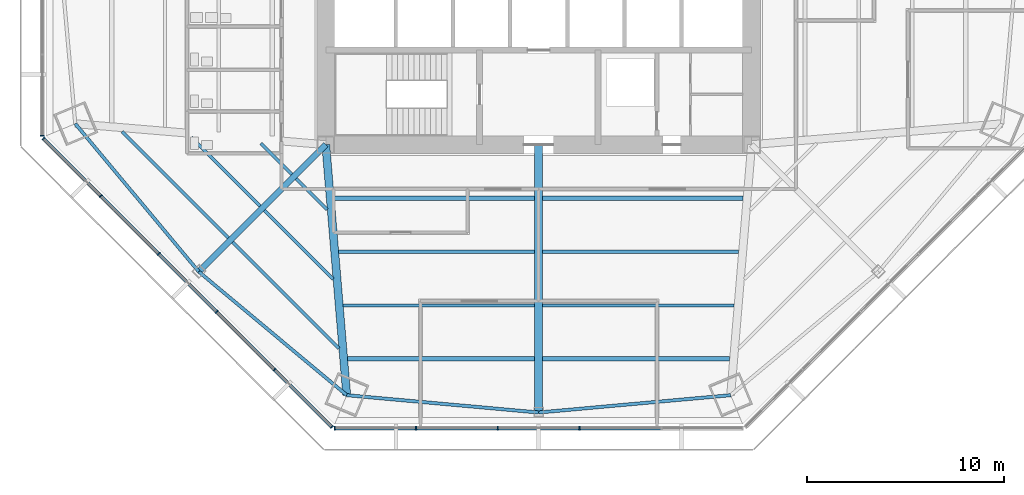
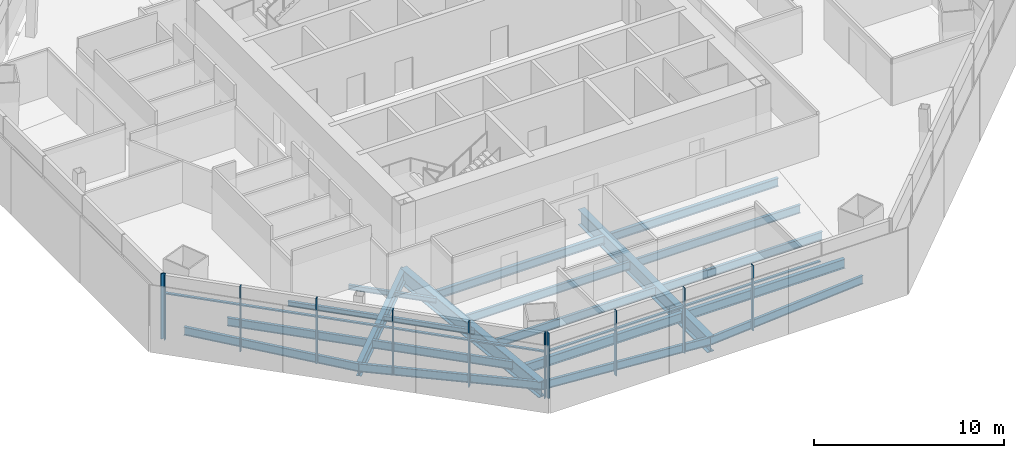
# One storey, part 2 of 16: 21 beams, 20 members, 3 elements without a shape of their own.
"""IFC4 building model written with IfcOpenShell, lengths in metres."""

from ifc_helpers import new_model, si_unit, direction, frame, origin, origin_2d, place, context, subcontext, project, spatial, rectangle, i_section, extrude, source, transform, mapped, material, material_profile, profile_set, type_object, type_shapes, element, aggregate, save


model = new_model("IFC4")

# Units and contexts
model_context = context("Model", 3, precision=1e-05, world=origin(), true_north=direction((0.0, 1.0)))
body_context = subcontext(model_context, "Body", "Model", "MODEL_VIEW")
ifc_project = project(units=[si_unit("LENGTHUNIT", "METRE"), si_unit("AREAUNIT", "SQUARE_METRE"), si_unit("VOLUMEUNIT", "CUBIC_METRE"), si_unit("PLANEANGLEUNIT", "RADIAN"), si_unit("MASSUNIT", "GRAM", prefix="KILO")], contexts=[model_context])

# Site, building, storey
site_placement = place(None, origin())
site = spatial("IfcSite", under=ifc_project, at=site_placement, CompositionType="ELEMENT")
building_placement = place(site_placement, origin())
building = spatial("IfcBuilding", under=site, at=building_placement, Name="Mashrafa Tower", CompositionType="ELEMENT")
storey_placement = place(building_placement, frame((0.0, 0.0, 100.199951171875)))
storey = spatial("IfcBuildingStorey", under=building, at=storey_placement, Name="L22", CompositionType="ELEMENT", Elevation=100.199951171875)

# Beams
ifc_material_1 = material(Name="Steel ASTM A992", Category="steel")
ifc_material_profile_1 = material_profile(ifc_material_1, i_section(OverallWidth=0.164794921875, OverallDepth=0.309814453125, WebThickness=0.005859375, FlangeThickness=0.009765625, FilletRadius=0.007568359375, at=origin_2d()), Name="W12X26")
ifc_profile_set_1 = profile_set([ifc_material_profile_1], Name="Steel ASTM A992")
beam_type_1 = type_object("IfcBeamType", Name="Beam W12X26", PredefinedType="BEAM", material=ifc_profile_set_1)
beam_1_placement = place(storey_placement, frame((-14.124755859375, -13.918212890625, -0.31982421875), z_axis=(-0.707082024713, 0.707131536794, 0.0), x_axis=(-0.707131536794, -0.707082024713, 0.0)))
element("IfcBeam", 1, at=beam_1_placement, inside=storey, type_object=beam_type_1, Name="Floor beam L22 012", PredefinedType="BEAM", context=body_context, shape_type="SweptSolid", body=[
    extrude(i_section(OverallWidth=0.164794921875, OverallDepth=0.309814453125, WebThickness=0.005859375, FlangeThickness=0.009765625, FilletRadius=0.007568359375, at=origin_2d()), origin(), (0.0, 0.0, 1.0), 4.930908203125),
])
for number, where, z_axis, x_axis, name in (
    (2, (-12.513916015625, -12.307373046875, -0.31982421875), (-0.707106781187, 0.707106781187, 0.0), (-0.707106781187, -0.707106781187, 0.0), "Floor beam L22 016"),
    (3, (-10.7255859375, -14.095703125, -0.31982421875), (-0.707106781187, 0.707106781187, 0.0), (-0.707106781187, -0.707106781187, 0.0), "Floor beam L22 019"),
):
    element("IfcBeam", number, at=place(storey_placement, frame(where, z_axis=z_axis, x_axis=x_axis)), inside=storey, type_object=beam_type_1, Name=name, PredefinedType="BEAM", context=body_context, shape_type="SweptSolid", body=[
        extrude(i_section(OverallWidth=0.164794921875, OverallDepth=0.309814453125, WebThickness=0.005859375, FlangeThickness=0.009765625, FilletRadius=0.007568359375, at=origin_2d()), origin(), (0.0, 0.0, 1.0), 2.237060546875),
    ])
beam_2_placement = place(storey_placement, frame((-10.431396484375, -17.611328125, -0.31982421875), z_axis=(-0.707131536794, 0.707082024713, 0.0), x_axis=(-0.707082024713, -0.707131536794, 0.0)))
element("IfcBeam", 4, at=beam_2_placement, inside=storey, type_object=beam_type_1, Name="Floor beam L22 021", PredefinedType="BEAM", context=body_context, shape_type="SweptSolid", body=[
    extrude(i_section(OverallWidth=0.164794921875, OverallDepth=0.309814453125, WebThickness=0.005859375, FlangeThickness=0.009765625, FilletRadius=0.007568359375, at=origin_2d()), origin(), (0.0, 0.0, 1.0), 4.930908203125),
])
ifc_material_2 = material(Name="Steel ASTM A992", Category="steel")
ifc_material_profile_2 = material_profile(ifc_material_2, i_section(OverallWidth=0.1650390625, OverallDepth=0.52587890625, WebThickness=0.0087890625, FlangeThickness=0.011474609375, FilletRadius=0.0126953125, at=origin_2d()), Name="W21X44")
ifc_profile_set_2 = profile_set([ifc_material_profile_2], Name="Steel ASTM A992")
beam_type_2 = type_object("IfcBeamType", Name="Beam W21X44", PredefinedType="BEAM", material=ifc_profile_set_2)
for number, where, z_axis, x_axis, name in (
    (5, (-15.7353515625, -15.52880859375, -0.427734375), (-0.707090771161, 0.707122790849, 0.0), (-0.707122790849, -0.707090771161, 0.0), "Floor beam L22 009"),
    (6, (-10.13720703125, -21.126708984375, -0.427734375), (-0.707122790849, 0.707090771161, 0.0), (-0.707090771161, -0.707122790849, 0.0), "Floor beam L22 023"),
):
    element("IfcBeam", number, at=place(storey_placement, frame(where, z_axis=z_axis, x_axis=x_axis)), inside=storey, type_object=beam_type_2, Name=name, PredefinedType="BEAM", context=body_context, shape_type="SweptSolid", body=[
        extrude(i_section(OverallWidth=0.1650390625, OverallDepth=0.52587890625, WebThickness=0.0087890625, FlangeThickness=0.011474609375, FilletRadius=0.0126953125, at=origin_2d()), origin(), (0.0, 0.0, 1.0), 7.624755859375),
    ])
for number, where, z_axis, x_axis, name in (
    (7, (-0.20068359375, -18.950927734375, -0.427734375), (-1.0, 0.0, 0.0), (0.0, -1.0, 0.0), "Floor beam L22 026"),
    (8, (9.91650390625, -18.950927734375, -0.427734375), (-1.0, 0.0, 0.0), (0.0, -1.0, 0.0), "Floor beam L22 035"),
):
    element("IfcBeam", number, at=place(storey_placement, frame(where, z_axis=z_axis, x_axis=x_axis)), inside=storey, type_object=beam_type_2, Name=name, PredefinedType="BEAM", context=body_context, shape_type="SweptSolid", body=[
        extrude(i_section(OverallWidth=0.1650390625, OverallDepth=0.52587890625, WebThickness=0.0087890625, FlangeThickness=0.011474609375, FilletRadius=0.0126953125, at=origin_2d()), origin(), (0.0, 0.0, 1.0), 9.7158203125),
    ])
ifc_material_3 = material(Name="Steel ASTM A992", Category="steel")
ifc_material_profile_3 = material_profile(ifc_material_3, i_section(OverallWidth=0.165771484375, OverallDepth=0.5283203125, WebThickness=0.009765625, FlangeThickness=0.013671875, FilletRadius=0.012939453125, at=origin_2d()), Name="W21X50")
ifc_profile_set_3 = profile_set([ifc_material_profile_3], Name="Steel ASTM A992")
beam_type_3 = type_object("IfcBeamType", Name="Beam W21X50", PredefinedType="BEAM", material=ifc_profile_set_3)
for number, where, z_axis, x_axis, name in (
    (9, (-0.20068359375, -16.23388671875, -0.42919921875), (-1.0, 0.0, 0.0), (0.0, -1.0, 0.0), "Floor beam L22 027"),
    (10, (10.143798828125, -16.23388671875, -0.42919921875), (-1.0, 0.0, 0.0), (0.0, -1.0, 0.0), "Floor beam L22 037"),
):
    element("IfcBeam", number, at=place(storey_placement, frame(where, z_axis=z_axis, x_axis=x_axis)), inside=storey, type_object=beam_type_3, Name=name, PredefinedType="BEAM", context=body_context, shape_type="SweptSolid", body=[
        extrude(i_section(OverallWidth=0.165771484375, OverallDepth=0.5283203125, WebThickness=0.009765625, FlangeThickness=0.013671875, FilletRadius=0.012939453125, at=origin_2d()), origin(), (0.0, 0.0, 1.0), 9.943115234375),
    ])
for number, where, z_axis, x_axis, name in (
    (11, (-23.506591796875, -9.73681640625, -0.42919921875), (0.640729548138, -0.76776666126, 0.0), (0.76776666126, 0.640729548138, 0.0), "Spandrel beam L22 074"),
    (12, (-17.24267578125, -17.24267578125, -0.42919921875), (0.76776666126, -0.640729548138, 0.0), (0.640729548138, 0.76776666126, 0.0), "Spandrel beam L22 076"),
):
    element("IfcBeam", number, at=place(storey_placement, frame(where, z_axis=z_axis, x_axis=x_axis)), inside=storey, type_object=beam_type_3, Name=name, PredefinedType="BEAM", context=body_context, shape_type="SweptSolid", body=[
        extrude(i_section(OverallWidth=0.165771484375, OverallDepth=0.5283203125, WebThickness=0.009765625, FlangeThickness=0.013671875, FilletRadius=0.012939453125, at=origin_2d()), origin(), (0.0, 0.0, 1.0), 9.776123046875),
    ])
for number, where, z_axis, x_axis, name in (
    (13, (-9.73681640625, -23.506591796875, -0.42919921875), (0.995955197915, -0.089851231184, 0.0), (0.089851231184, 0.995955197915, 0.0), "Spandrel beam L22 078"),
    (14, (0.0, -24.385009765625, -0.42919921875), (0.995955197915, 0.089851231184, 0.0), (-0.089851231184, 0.995955197915, 0.0), "Spandrel beam L22 080"),
):
    element("IfcBeam", number, at=place(storey_placement, frame(where, z_axis=z_axis, x_axis=x_axis)), inside=storey, type_object=beam_type_3, Name=name, PredefinedType="BEAM", context=body_context, shape_type="SweptSolid", body=[
        extrude(i_section(OverallWidth=0.165771484375, OverallDepth=0.5283203125, WebThickness=0.009765625, FlangeThickness=0.013671875, FilletRadius=0.012939453125, at=origin_2d()), origin(), (0.0, 0.0, 1.0), 9.7763671875),
    ])
ifc_material_4 = material(Name="Steel ASTM A992", Category="steel")
ifc_material_profile_4 = material_profile(ifc_material_4, i_section(OverallWidth=0.209228515625, OverallDepth=0.533447265625, WebThickness=0.01025390625, FlangeThickness=0.015625, FilletRadius=0.012939453125, at=origin_2d()), Name="W21X62")
ifc_profile_set_4 = profile_set([ifc_material_profile_4], Name="Steel ASTM A992")
beam_type_4 = type_object("IfcBeamType", Name="Beam W21X62", PredefinedType="BEAM", material=ifc_profile_set_4)
for number, where, z_axis, x_axis, name in (
    (15, (-0.20068359375, -13.51708984375, -0.431640625), (-1.0, 0.0, 0.0), (0.0, -1.0, 0.0), "Floor beam L22 028"),
    (16, (10.371337890625, -13.51708984375, -0.431640625), (-1.0, 0.0, 0.0), (0.0, -1.0, 0.0), "Floor beam L22 039"),
):
    element("IfcBeam", number, at=place(storey_placement, frame(where, z_axis=z_axis, x_axis=x_axis)), inside=storey, type_object=beam_type_4, Name=name, PredefinedType="BEAM", context=body_context, shape_type="SweptSolid", body=[
        extrude(i_section(OverallWidth=0.209228515625, OverallDepth=0.533447265625, WebThickness=0.01025390625, FlangeThickness=0.015625, FilletRadius=0.012939453125, at=origin_2d()), origin(), (0.0, 0.0, 1.0), 10.170654296875),
    ])
ifc_material_5 = material(Name="Steel ASTM A992", Category="steel")
ifc_material_profile_5 = material_profile(ifc_material_5, i_section(OverallWidth=0.227783203125, OverallDepth=0.60205078125, WebThickness=0.010498046875, FlangeThickness=0.014892578125, FilletRadius=0.012939453125, at=origin_2d()), Name="W24X68")
ifc_profile_set_5 = profile_set([ifc_material_profile_5], Name="Steel ASTM A992")
beam_type_5 = type_object("IfcBeamType", Name="Beam W24X68", PredefinedType="BEAM", material=ifc_profile_set_5)
for number, where, z_axis, x_axis, name in (
    (17, (-0.20068359375, -21.66796875, -0.4658203125), (-1.0, 0.0, 0.0), (0.0, -1.0, 0.0), "Floor beam L22 025"),
    (18, (9.689208984375, -21.66796875, -0.4658203125), (-1.0, 0.0, 0.0), (0.0, -1.0, 0.0), "Floor beam L22 033"),
):
    element("IfcBeam", number, at=place(storey_placement, frame(where, z_axis=z_axis, x_axis=x_axis)), inside=storey, type_object=beam_type_5, Name=name, PredefinedType="BEAM", context=body_context, shape_type="SweptSolid", body=[
        extrude(i_section(OverallWidth=0.227783203125, OverallDepth=0.60205078125, WebThickness=0.010498046875, FlangeThickness=0.014892578125, FilletRadius=0.012939453125, at=origin_2d()), origin(), (0.0, 0.0, 1.0), 9.488525390625),
    ])
ifc_material_6 = material(Name="Steel ASTM A992", Category="steel")
ifc_material_profile_6 = material_profile(ifc_material_6, i_section(OverallWidth=0.2919921875, OverallDepth=0.845703125, WebThickness=0.015380859375, FlangeThickness=0.0244140625, FilletRadius=0.017333984375, at=origin_2d()), Name="W33X141")
ifc_profile_set_6 = profile_set([ifc_material_profile_6], Name="Steel ASTM A992")
beam_type_6 = type_object("IfcBeamType", Name="Beam W33X141", PredefinedType="BEAM", material=ifc_profile_set_6)
beam_3_placement = place(storey_placement, frame((-10.800048828125, -10.800048828125, -0.587890625), z_axis=(-0.707106781187, -0.707106781187, 0.0), x_axis=(0.707106781187, -0.707106781187, 0.0)))
element("IfcBeam", 19, at=beam_3_placement, inside=storey, type_object=beam_type_6, Name="Radial girder L22 058", PredefinedType="BEAM", context=body_context, shape_type="SweptSolid", body=[
    extrude(i_section(OverallWidth=0.2919921875, OverallDepth=0.845703125, WebThickness=0.015380859375, FlangeThickness=0.0244140625, FilletRadius=0.017333984375, at=origin_2d()), origin(), (0.0, 0.0, 1.0), 9.111328125),
])
ifc_material_7 = material(Name="Steel ASTM A992", Category="steel")
ifc_material_profile_7 = material_profile(ifc_material_7, i_section(OverallWidth=0.4013671875, OverallDepth=1.010986328125, WebThickness=0.023681640625, FlangeThickness=0.0419921875, FilletRadius=0.02001953125, at=origin_2d()), Name="W40X297")
ifc_profile_set_7 = profile_set([ifc_material_profile_7], Name="Steel ASTM A992")
beam_type_7 = type_object("IfcBeamType", Name="Beam W40X297", PredefinedType="BEAM", material=ifc_profile_set_7)
beam_4_placement = place(storey_placement, frame((-10.800048828125, -10.800048828125, -0.67041015625), z_axis=(0.083384572528, -0.996517442429, 0.0), x_axis=(0.996517442429, 0.083384572528, 0.0)))
element("IfcBeam", 20, at=beam_4_placement, inside=storey, type_object=beam_type_7, Name="Radial girder L22 059", PredefinedType="BEAM", context=body_context, shape_type="SweptSolid", body=[
    extrude(i_section(OverallWidth=0.4013671875, OverallDepth=1.010986328125, WebThickness=0.023681640625, FlangeThickness=0.0419921875, FilletRadius=0.02001953125, at=origin_2d()), origin(), (0.0, 0.0, 1.0), 12.7509765625),
])
beam_5_placement = place(storey_placement, frame((0.0, -10.800048828125, -0.67041015625), z_axis=(0.0, -1.0, 0.0), x_axis=(1.0, 0.0, 0.0)))
element("IfcBeam", 21, at=beam_5_placement, inside=storey, type_object=beam_type_7, Name="Radial girder L22 064", PredefinedType="BEAM", context=body_context, shape_type="SweptSolid", body=[
    extrude(i_section(OverallWidth=0.4013671875, OverallDepth=1.010986328125, WebThickness=0.023681640625, FlangeThickness=0.0419921875, FilletRadius=0.02001953125, at=origin_2d()), origin(), (0.0, 0.0, 1.0), 13.5849609375),
])

# Curtain wall, member
ifc_material_8 = material(Name="Unitised aluminium curtain wall", Category="aluminium")
curtain_wall_type = type_object("IfcCurtainWallType", Name="Office curtain wall, zone 1 CW-A 200 deep", PredefinedType="NOTDEFINED", material=ifc_material_8)
curtain_wall_1_placement = place(storey_placement, origin())
curtain_wall_1 = element("IfcCurtainWall", 22, at=curtain_wall_1_placement, inside=storey, type_object=curtain_wall_type, Name="Office curtain wall, zone 1 L22 west", PredefinedType="NOTDEFINED")
ifc_material_9 = material(Name="Extruded aluminium mullion", Category="aluminium")
ifc_material_profile_8 = material_profile(ifc_material_9, rectangle(XDim=0.199951171875, YDim=0.06494140625, at=origin_2d()), Name="Mullion 65x200")
ifc_profile_set_8 = profile_set([ifc_material_profile_8], Name="Extruded aluminium mullion")
member_type_1 = type_object("IfcMemberType", Name="Mullion CW-A 65 x 200", PredefinedType="MULLION", material=ifc_profile_set_8)
shared_shape_1 = source(origin(), body_context, "Body", "SweptSolid", [
    extrude(rectangle(XDim=0.199951171875, YDim=0.06494140625, at=origin_2d()), origin(), (0.0, 0.0, 1.0), 4.199951171875),
])
type_shapes(member_type_1, [shared_shape_1])
member_1_placement = place(storey_placement, frame((-25.18017578125, -10.345947265625, 0.0), z_axis=(0.0, 0.0, 1.0), x_axis=(1.0, 0.0, 0.0)))
member_1 = element("IfcMember", 23, at=member_1_placement, type_object=member_type_1, Name="CW-A mullion 6", PredefinedType="MULLION", context=body_context, shape_type="MappedRepresentation", body=[
    mapped(shared_shape_1, transform((0.0, 0.0, 0.0))),
])
aggregate(curtain_wall_1, [member_1])

# Curtain wall, members
curtain_wall_2_placement = place(storey_placement, origin())
curtain_wall_2 = element("IfcCurtainWall", 24, at=curtain_wall_2_placement, inside=storey, type_object=curtain_wall_type, Name="Office curtain wall, zone 1 L22 south-west", PredefinedType="NOTDEFINED")
member_2_placement = place(storey_placement, frame((-25.120849609375, -10.4892578125, 0.0), z_axis=(0.0, 0.0, 1.0), x_axis=(0.707106781187, 0.707106781187, 0.0)))
member_2 = element("IfcMember", 25, at=member_2_placement, type_object=member_type_1, Name="CW-A mullion 1", PredefinedType="MULLION", context=body_context, shape_type="MappedRepresentation", body=[
    mapped(shared_shape_1, transform((0.0, 0.0, 0.0))),
])
member_3_placement = place(storey_placement, frame((-22.208251953125, -13.40185546875, 0.0), z_axis=(0.0, 0.0, 1.0), x_axis=(0.707106781187, 0.707106781187, 0.0)))
member_3 = element("IfcMember", 26, at=member_3_placement, type_object=member_type_1, Name="CW-A mullion 2", PredefinedType="MULLION", context=body_context, shape_type="MappedRepresentation", body=[
    mapped(shared_shape_1, transform((0.0, 0.0, 0.0))),
])
member_4_placement = place(storey_placement, frame((-19.27294921875, -16.33740234375, 0.0), z_axis=(0.0, 0.0, 1.0), x_axis=(0.707106781187, 0.707106781187, 0.0)))
member_4 = element("IfcMember", 27, at=member_4_placement, type_object=member_type_1, Name="CW-A mullion 3", PredefinedType="MULLION", context=body_context, shape_type="MappedRepresentation", body=[
    mapped(shared_shape_1, transform((0.0, 0.0, 0.0))),
])
member_5_placement = place(storey_placement, frame((-16.33740234375, -19.27294921875, 0.0), z_axis=(0.0, 0.0, 1.0), x_axis=(0.707106781187, 0.707106781187, 0.0)))
member_5 = element("IfcMember", 28, at=member_5_placement, type_object=member_type_1, Name="CW-A mullion 4", PredefinedType="MULLION", context=body_context, shape_type="MappedRepresentation", body=[
    mapped(shared_shape_1, transform((0.0, 0.0, 0.0))),
])
member_6_placement = place(storey_placement, frame((-13.40185546875, -22.208251953125, 0.0), z_axis=(0.0, 0.0, 1.0), x_axis=(0.707106781187, 0.707106781187, 0.0)))
member_6 = element("IfcMember", 29, at=member_6_placement, type_object=member_type_1, Name="CW-A mullion 5", PredefinedType="MULLION", context=body_context, shape_type="MappedRepresentation", body=[
    mapped(shared_shape_1, transform((0.0, 0.0, 0.0))),
])
member_7_placement = place(storey_placement, frame((-10.4892578125, -25.120849609375, 0.0), z_axis=(0.0, 0.0, 1.0), x_axis=(0.707106781187, 0.707106781187, 0.0)))
member_7 = element("IfcMember", 30, at=member_7_placement, type_object=member_type_1, Name="CW-A mullion 6", PredefinedType="MULLION", context=body_context, shape_type="MappedRepresentation", body=[
    mapped(shared_shape_1, transform((0.0, 0.0, 0.0))),
])

curtain_wall_3_placement = place(storey_placement, origin())
curtain_wall_3 = element("IfcCurtainWall", 31, at=curtain_wall_3_placement, inside=storey, type_object=curtain_wall_type, Name="Office curtain wall, zone 1 L22 south", PredefinedType="NOTDEFINED")
member_8_placement = place(storey_placement, frame((-10.345947265625, -25.18017578125, 0.0), z_axis=(0.0, 0.0, 1.0), x_axis=(0.0, 1.0, 0.0)))
member_8 = element("IfcMember", 32, at=member_8_placement, type_object=member_type_1, Name="CW-A mullion 1", PredefinedType="MULLION", context=body_context, shape_type="MappedRepresentation", body=[
    mapped(shared_shape_1, transform((0.0, 0.0, 0.0))),
])
member_9_placement = place(storey_placement, frame((-6.22705078125, -25.18017578125, 0.0), z_axis=(0.0, 0.0, 1.0), x_axis=(0.0, 1.0, 0.0)))
member_9 = element("IfcMember", 33, at=member_9_placement, type_object=member_type_1, Name="CW-A mullion 2", PredefinedType="MULLION", context=body_context, shape_type="MappedRepresentation", body=[
    mapped(shared_shape_1, transform((0.0, 0.0, 0.0))),
])
member_10_placement = place(storey_placement, frame((-2.07568359375, -25.18017578125, 0.0), z_axis=(0.0, 0.0, 1.0), x_axis=(0.0, 1.0, 0.0)))
member_10 = element("IfcMember", 34, at=member_10_placement, type_object=member_type_1, Name="CW-A mullion 3", PredefinedType="MULLION", context=body_context, shape_type="MappedRepresentation", body=[
    mapped(shared_shape_1, transform((0.0, 0.0, 0.0))),
])
member_11_placement = place(storey_placement, frame((2.07568359375, -25.18017578125, 0.0), z_axis=(0.0, 0.0, 1.0), x_axis=(0.0, 1.0, 0.0)))
member_11 = element("IfcMember", 35, at=member_11_placement, type_object=member_type_1, Name="CW-A mullion 4", PredefinedType="MULLION", context=body_context, shape_type="MappedRepresentation", body=[
    mapped(shared_shape_1, transform((0.0, 0.0, 0.0))),
])
ifc_material_10 = material(Name="Extruded aluminium transom", Category="aluminium")
ifc_material_profile_9 = material_profile(ifc_material_10, rectangle(XDim=0.159912109375, YDim=0.080078125, at=origin_2d()), Name="Transom 80x160")
ifc_profile_set_9 = profile_set([ifc_material_profile_9], Name="Extruded aluminium transom")
member_type_2 = type_object("IfcMemberType", Name="Transom CW-A 80 x 160", PredefinedType="MULLION", material=ifc_profile_set_9)
shared_shape_2 = source(origin(), body_context, "Body", "SweptSolid", [
    extrude(rectangle(XDim=0.159912109375, YDim=0.080078125, at=origin_2d()), origin(), (0.0, 0.0, 1.0), 4.053955078125),
])
member_12_placement = place(storey_placement, frame((-10.3134765625, -25.18017578125, 3.0), z_axis=(1.0, 0.0, 0.0), x_axis=(0.0, 1.0, 0.0)))
member_12 = element("IfcMember", 36, at=member_12_placement, type_object=member_type_2, Name="CW-A transom 1", PredefinedType="MULLION", context=body_context, shape_type="MappedRepresentation", body=[
    mapped(shared_shape_2, transform((0.0, 0.0, 0.0))),
])

# Member
shared_shape_3 = source(origin(), body_context, "Body", "SweptSolid", [
    extrude(rectangle(XDim=0.159912109375, YDim=0.080078125, at=origin_2d()), origin(), (0.0, 0.0, 1.0), 4.08642578125),
])
member_13_placement = place(storey_placement, frame((-22.185302734375, -13.4248046875, 3.0), z_axis=(0.707076908274, -0.707136652837, 0.0), x_axis=(0.707136652837, 0.707076908274, 0.0)))
member_13 = element("IfcMember", 37, at=member_13_placement, type_object=member_type_2, Name="CW-A transom 2", PredefinedType="MULLION", context=body_context, shape_type="MappedRepresentation", body=[
    mapped(shared_shape_3, transform((0.0, 0.0, 0.0))),
])

member_14_placement = place(storey_placement, frame((-16.314453125, -19.2958984375, 3.0), z_axis=(0.707136652837, -0.707076908274, 0.0), x_axis=(0.707076908274, 0.707136652837, 0.0)))
member_14 = element("IfcMember", 38, at=member_14_placement, type_object=member_type_2, Name="CW-A transom 4", PredefinedType="MULLION", context=body_context, shape_type="MappedRepresentation", body=[
    mapped(shared_shape_3, transform((0.0, 0.0, 0.0))),
])

member_15_placement = place(storey_placement, frame((-6.194580078125, -25.18017578125, 3.0), z_axis=(1.0, 0.0, 0.0), x_axis=(0.0, 1.0, 0.0)))
member_15 = element("IfcMember", 39, at=member_15_placement, type_object=member_type_2, Name="CW-A transom 2", PredefinedType="MULLION", context=body_context, shape_type="MappedRepresentation", body=[
    mapped(shared_shape_3, transform((0.0, 0.0, 0.0))),
])

member_16_placement = place(storey_placement, frame((-2.043212890625, -25.18017578125, 3.0), z_axis=(1.0, 0.0, 0.0), x_axis=(0.0, 1.0, 0.0)))
member_16 = element("IfcMember", 40, at=member_16_placement, type_object=member_type_2, Name="CW-A transom 3", PredefinedType="MULLION", context=body_context, shape_type="MappedRepresentation", body=[
    mapped(shared_shape_3, transform((0.0, 0.0, 0.0))),
])

member_17_placement = place(storey_placement, frame((2.108154296875, -25.18017578125, 3.0), z_axis=(1.0, 0.0, 0.0), x_axis=(0.0, 1.0, 0.0)))
member_17 = element("IfcMember", 41, at=member_17_placement, type_object=member_type_2, Name="CW-A transom 4", PredefinedType="MULLION", context=body_context, shape_type="MappedRepresentation", body=[
    mapped(shared_shape_3, transform((0.0, 0.0, 0.0))),
])

aggregate(curtain_wall_3, [member_8, member_9, member_10, member_11, member_12, member_15, member_16, member_17])

shared_shape_4 = source(origin(), body_context, "Body", "SweptSolid", [
    extrude(rectangle(XDim=0.159912109375, YDim=0.080078125, at=origin_2d()), origin(), (0.0, 0.0, 1.0), 4.05419921875),
])
member_18_placement = place(storey_placement, frame((-25.097900390625, -10.51220703125, 3.0), z_axis=(0.707106781187, -0.707106781187, 0.0), x_axis=(0.707106781187, 0.707106781187, 0.0)))
member_18 = element("IfcMember", 42, at=member_18_placement, type_object=member_type_2, Name="CW-A transom 1", PredefinedType="MULLION", context=body_context, shape_type="MappedRepresentation", body=[
    mapped(shared_shape_4, transform((0.0, 0.0, 0.0))),
])

member_19_placement = place(storey_placement, frame((-13.37890625, -22.231201171875, 3.0), z_axis=(0.707106781187, -0.707106781187, 0.0), x_axis=(0.707106781187, 0.707106781187, 0.0)))
member_19 = element("IfcMember", 43, at=member_19_placement, type_object=member_type_2, Name="CW-A transom 5", PredefinedType="MULLION", context=body_context, shape_type="MappedRepresentation", body=[
    mapped(shared_shape_4, transform((0.0, 0.0, 0.0))),
])

shared_shape_5 = source(origin(), body_context, "Body", "SweptSolid", [
    extrude(rectangle(XDim=0.159912109375, YDim=0.080078125, at=origin_2d()), origin(), (0.0, 0.0, 1.0), 4.086181640625),
])
type_shapes(member_type_2, [shared_shape_2, shared_shape_3, shared_shape_4, shared_shape_5])
member_20_placement = place(storey_placement, frame((-19.249755859375, -16.3603515625, 3.0), z_axis=(0.707106781187, -0.707106781187, 0.0), x_axis=(0.707106781187, 0.707106781187, 0.0)))
member_20 = element("IfcMember", 44, at=member_20_placement, type_object=member_type_2, Name="CW-A transom 3", PredefinedType="MULLION", context=body_context, shape_type="MappedRepresentation", body=[
    mapped(shared_shape_5, transform((0.0, 0.0, 0.0))),
])

aggregate(curtain_wall_2, [member_2, member_3, member_4, member_5, member_6, member_7, member_18, member_13, member_20, member_14, member_19])

save(model, "model.ifc")
